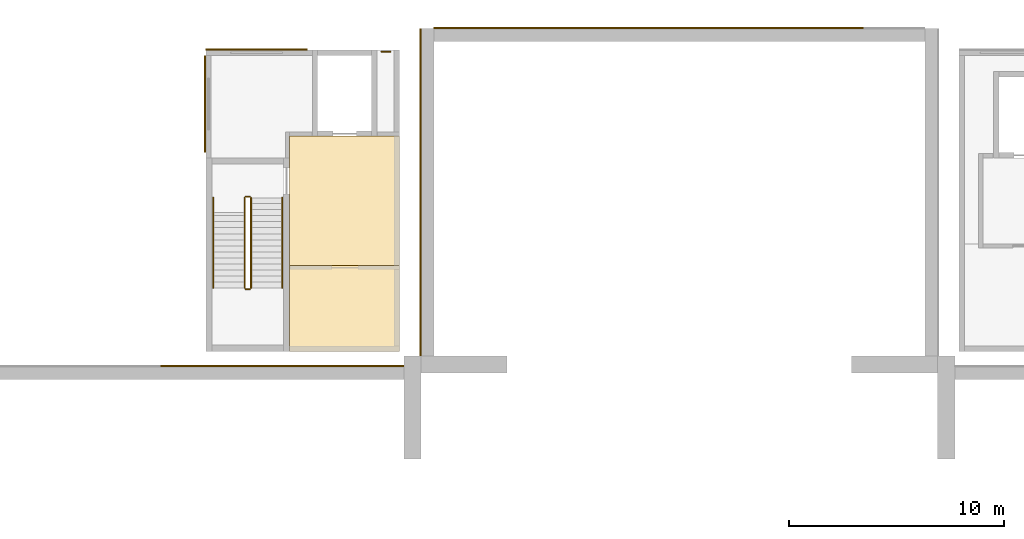
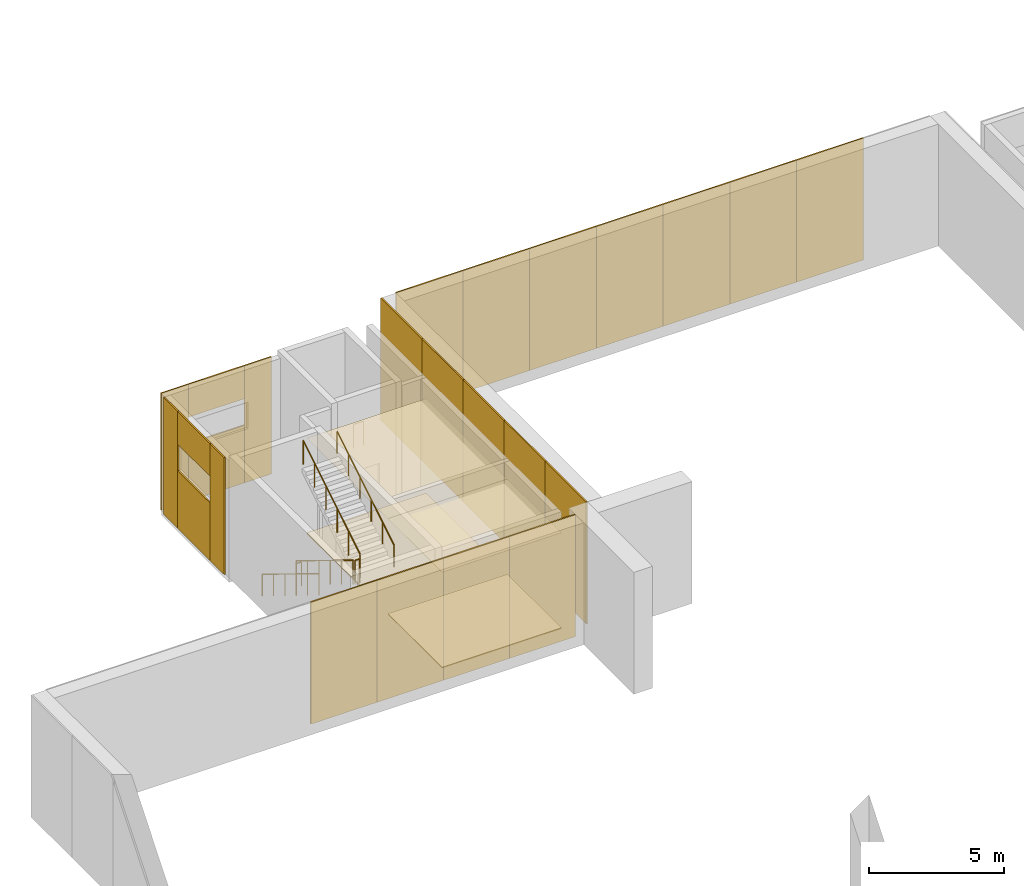
# One storey, part 97 of 112: 28 coverings, 7 railings.
"""IFC4 building model written with IfcOpenShell, lengths in metres."""

import ifcopenshell
import ifcopenshell.guid

model = None  # the IFC model being written
_history = None  # IfcOwnerHistory: only IFC2X3 demands one
_inside = {}  # id of a spatial element -> (the spatial element, [elements in it])
_under = {}  # id of a project, library or spatial element -> (it, [spatial elements below it])
_declared = {}  # id of a project -> (the project, [libraries it declares])
_typed = {}  # id of a type object -> (the type object, [elements of that type])
_made_of = {}  # id of a material, layer set ... -> (it, [elements and type objects made of it])


def new_model(schema):
    """Start an empty IFC model of exactly this schema.

    Asked for "IFC4X3", IfcOpenShell would pick the latest addendum, in which some entities
    have other attributes; the version numbers below select the first issue.
    IFC2X3 requires an IfcOwnerHistory on every rooted entity: one is made here for all.
    """
    global model, _history
    if schema == "IFC4X3":
        model = ifcopenshell.file(schema_version=(4, 3, 0, 0))
    else:
        model = ifcopenshell.file(schema=schema)
    _inside.clear()
    _under.clear()
    _declared.clear()
    _typed.clear()
    _made_of.clear()
    _history = None
    if model.schema == "IFC2X3":
        org = make("IfcOrganization", Name="unknown")
        user = make(
            "IfcPersonAndOrganization",
            ThePerson=make("IfcPerson", FamilyName="unknown"),
            TheOrganization=org,
        )
        app = make(
            "IfcApplication",
            ApplicationDeveloper=org,
            Version="unknown",
            ApplicationFullName="unknown",
            ApplicationIdentifier="unknown",
        )
        _history = make(
            "IfcOwnerHistory",
            OwningUser=user,
            OwningApplication=app,
            ChangeAction="ADDED",
            CreationDate=0,
        )
    return model


def make(cls, **values):
    """One entity of the class cls with the attributes given. An attribute that is None is left unset."""
    return model.create_entity(
        cls, **{name: value for name, value in values.items() if value is not None}
    )


def rooted(cls, **values):
    """An entity with a GlobalId (a new one), such as an element, a storey or a relation."""
    return make(cls, GlobalId=ifcopenshell.guid.new(), OwnerHistory=_history, **values)


def si_unit(unit_type, name, prefix=None):
    """IfcSIUnit, for example si_unit("LENGTHUNIT", "METRE", prefix="MILLI")."""
    return make("IfcSIUnit", UnitType=unit_type, Prefix=prefix, Name=name)


def assignment(units):
    """IfcUnitAssignment: the units of a project."""
    return None if units is None else make("IfcUnitAssignment", Units=units)


def point(xyz):
    """IfcCartesianPoint."""
    return None if xyz is None else make("IfcCartesianPoint", Coordinates=xyz)


def direction(xyz):
    """IfcDirection."""
    return None if xyz is None else make("IfcDirection", DirectionRatios=xyz)


def frame(location, z_axis=None, x_axis=None):
    """IfcAxis2Placement3D, a coordinate frame: its origin and axes. An axis left out is left unset."""
    return make(
        "IfcAxis2Placement3D",
        Location=point(location),
        Axis=direction(z_axis),
        RefDirection=direction(x_axis),
    )


def frame_2d(location, x_axis=None):
    """IfcAxis2Placement2D, a coordinate frame in the plane: its origin and x axis."""
    return make(
        "IfcAxis2Placement2D", Location=point(location), RefDirection=direction(x_axis)
    )


def origin():
    """The frame at (0, 0, 0) with its axes left unset."""
    return frame((0.0, 0.0, 0.0))


def origin_2d():
    """The frame at (0, 0) in the plane with its x axis left unset."""
    return frame_2d((0.0, 0.0))


def place(relative_to, where):
    """IfcLocalPlacement: puts the frame where relative to a parent placement (None: the world)."""
    return make(
        "IfcLocalPlacement", PlacementRelTo=relative_to, RelativePlacement=where
    )


def context(
    kind, dimensions, precision=None, world=None, true_north=None, identifier=None
):
    """IfcGeometricRepresentationContext, for example the 3D "Model" context."""
    return make(
        "IfcGeometricRepresentationContext",
        ContextIdentifier=identifier,
        ContextType=kind,
        CoordinateSpaceDimension=dimensions,
        Precision=precision,
        WorldCoordinateSystem=world,
        TrueNorth=true_north,
    )


def subcontext(parent, identifier, kind, view, scale=None):
    """IfcGeometricRepresentationSubContext, for example "Body" below "Model"."""
    return make(
        "IfcGeometricRepresentationSubContext",
        ContextIdentifier=identifier,
        ContextType=kind,
        ParentContext=parent,
        TargetScale=scale,
        TargetView=view,
    )


def project(units=None, contexts=None):
    """IfcProject with its units and contexts."""
    return rooted(
        "IfcProject",
        Name="project",
        RepresentationContexts=contexts,
        UnitsInContext=assignment(units),
    )


def spatial(cls, under=None, at=None, **own):
    """A site, building, storey or space (cls), placed at a placement, below another one or the project."""
    s = rooted(cls, ObjectPlacement=at, **own)
    if under is not None:
        _under.setdefault(under.id(), (under, []))[1].append(s)
    return s


def polyline(points):
    """IfcPolyline through the points."""
    return make("IfcPolyline", Points=[point(p) for p in points])


def profile(cls, at=None, kind="AREA", **sizes):
    """A parametric profile (cls). Its sizes go by their IFC names, for example OverallWidth=200.0."""
    return make(cls, ProfileType=kind, Position=at, **sizes)


def rectangle(**sizes):
    """IfcRectangleProfileDef."""
    return profile("IfcRectangleProfileDef", **sizes)


def circle(**sizes):
    """IfcCircleProfileDef."""
    return profile("IfcCircleProfileDef", **sizes)


def outline(outer, holes=None, kind="AREA"):
    """IfcArbitraryClosedProfileDef: a profile drawn as a closed curve; with holes, ...WithVoids."""
    if holes is None:
        return make("IfcArbitraryClosedProfileDef", ProfileType=kind, OuterCurve=outer)
    return make(
        "IfcArbitraryProfileDefWithVoids",
        ProfileType=kind,
        OuterCurve=outer,
        InnerCurves=holes,
    )


def extrude(swept, where, along, depth):
    """IfcExtrudedAreaSolid: the profile swept, set in the frame where, extruded along a direction by depth."""
    return make(
        "IfcExtrudedAreaSolid",
        SweptArea=swept,
        Position=where,
        ExtrudedDirection=direction(along),
        Depth=depth,
    )


def shape(context_of_items, identifier, shape_type, items):
    """IfcShapeRepresentation: the items that make up one representation, for example the "Body"."""
    return make(
        "IfcShapeRepresentation",
        ContextOfItems=context_of_items,
        RepresentationIdentifier=identifier,
        RepresentationType=shape_type,
        Items=items,
    )


def material(Name=None, Category=None):
    """IfcMaterial."""
    return make("IfcMaterial", Name=Name, Category=Category)


def layer(
    of_material, thickness, ventilated=None, Name=None, Category=None, Priority=None
):
    """IfcMaterialLayer: one layer of a wall or slab, of a material (None: an air gap)."""
    return make(
        "IfcMaterialLayer",
        Material=of_material,
        LayerThickness=thickness,
        IsVentilated=ventilated,
        Name=Name,
        Category=Category,
        Priority=Priority,
    )


def layer_set(layers, Name=None):
    """IfcMaterialLayerSet."""
    return make("IfcMaterialLayerSet", MaterialLayers=layers, LayerSetName=Name)


def made_of(thing, what):
    """Note that an element or type object is made of a material, layer set ...; save() writes the relation."""
    if what is not None:
        _made_of.setdefault(what.id(), (what, []))[1].append(thing)
    return thing


def type_object(cls, material=None, **own):
    """A type object (cls), such as IfcWallType, which elements share."""
    return made_of(rooted(cls, **own), material)


def element(
    cls,
    number,
    at=None,
    inside=None,
    cuts=None,
    type_object=None,
    material=None,
    context=None,
    identifier="Body",
    shape_type=None,
    held_by="IfcProductDefinitionShape",
    body=None,
    shapes=None,
    **own,
):
    """One element of the class cls, such as IfcWall. Its Tag is "e" and its number.

    at: its placement. inside: the storey or other place that contains it. cuts: it is an
    opening in that element (IfcRelVoidsElement). A single representation is given by context,
    identifier, shape_type and body (its items); several are given by shapes. held_by: the class
    of the entity that holds the representations. save() writes the other relations.
    """
    e = rooted(cls, Tag="e%d" % number, ObjectPlacement=at, **own)
    if body is not None:
        shapes = [shape(context, identifier, shape_type, body)]
    if shapes is not None:
        e.Representation = make(held_by, Representations=shapes)
    if inside is not None:
        _inside.setdefault(inside.id(), (inside, []))[1].append(e)
    if cuts is not None:
        rooted(
            "IfcRelVoidsElement", RelatingBuildingElement=cuts, RelatedOpeningElement=e
        )
    if type_object is not None:
        _typed.setdefault(type_object.id(), (type_object, []))[1].append(e)
    return made_of(e, material)


def aggregate(whole, parts):
    """IfcRelAggregates: a whole, such as a stair, and the parts it consists of."""
    return rooted("IfcRelAggregates", RelatingObject=whole, RelatedObjects=parts)


def save(model, path):
    """Write the relations noted so far, then the file.

    IfcRelAggregates (storeys below a building ...), IfcRelContainedInSpatialStructure (elements
    in a storey), IfcRelDefinesByType, IfcRelAssociatesMaterial and IfcRelDeclares: one each for
    every whole, place, type object, material and project.
    """
    for whole, parts in _under.values():
        aggregate(whole, parts)
    for where, things in _inside.values():
        rooted(
            "IfcRelContainedInSpatialStructure",
            RelatedElements=things,
            RelatingStructure=where,
        )
    for kind, things in _typed.values():
        rooted("IfcRelDefinesByType", RelatedObjects=things, RelatingType=kind)
    for what, things in _made_of.values():
        rooted("IfcRelAssociatesMaterial", RelatedObjects=things, RelatingMaterial=what)
    for by, libraries in _declared.values():
        rooted("IfcRelDeclares", RelatingContext=by, RelatedDefinitions=libraries)
    model.write(path)


model = new_model("IFC4")

# Units and contexts
model_context = context("Model", 3, precision=1e-05, world=origin(), true_north=direction((0.0, 1.0)))
body_context = subcontext(model_context, "Body", "Model", "MODEL_VIEW")
ifc_project = project(units=[si_unit("LENGTHUNIT", "METRE"), si_unit("AREAUNIT", "SQUARE_METRE"), si_unit("VOLUMEUNIT", "CUBIC_METRE"), si_unit("PLANEANGLEUNIT", "RADIAN"), si_unit("MASSUNIT", "GRAM", prefix="KILO")], contexts=[model_context])

# Site, building, storey
site_placement = place(None, origin())
site = spatial("IfcSite", under=ifc_project, at=site_placement, CompositionType="ELEMENT")
building_placement = place(site_placement, origin())
building = spatial("IfcBuilding", under=site, at=building_placement, Name="Lunette Opera House", CompositionType="ELEMENT")
storey_placement = place(building_placement, frame((0.0, 0.0, 6.0)))
storey = spatial("IfcBuildingStorey", under=building, at=storey_placement, Name="L01", CompositionType="ELEMENT", Elevation=6.0)

# Railings
ifc_material_1 = material(Name="Steel S355", Category="steel")
railing_type_1 = type_object("IfcRailingType", Name="DECK GUARD 1100", PredefinedType="GUARDRAIL", material=ifc_material_1)
railing_1_placement = place(storey_placement, frame((82.580078125, 134.919921875, 0.0)))
element("IfcRailing", 1, at=railing_1_placement, inside=storey, type_object=railing_type_1, Name="Deck guard 042", PredefinedType="GUARDRAIL", context=body_context, shape_type="SweptSolid", body=[
    extrude(circle(Radius=0.02392578125, at=origin_2d()), frame((0.0, 0.0, 1.076171875), z_axis=(-1.0, 0.0, 0.0), x_axis=(0.0, -1.0, 0.0)), (0.0, 0.0, 1.0), 0.420166015625),
    extrude(circle(Radius=0.02099609375, at=origin_2d()), origin(), (0.0, 0.0, 1.0), 1.052001953125),
    extrude(circle(Radius=0.02099609375, at=origin_2d()), frame((-0.420166015625, 0.0, 0.0)), (0.0, 0.0, 1.0), 1.052001953125),
])
ifc_material_2 = material(Name="Steel S355", Category="steel")
railing_type_2 = type_object("IfcRailingType", Name="STAIR GUARD 1100", PredefinedType="GUARDRAIL", material=ifc_material_2)
railing_2_placement = place(storey_placement, frame((75.800048828125, 128.14990234375, 0.171875)))
element("IfcRailing", 2, at=railing_2_placement, inside=storey, type_object=railing_type_2, Name="L01 ST11 stair guard 1", PredefinedType="GUARDRAIL", context=body_context, shape_type="SweptSolid", body=[
    extrude(circle(Radius=0.02392578125, at=origin_2d()), frame((0.0, 0.0, 1.076171875), z_axis=(0.0, -0.852242915053, 0.523146264196), x_axis=(1.0, 0.0, 0.0)), (0.0, 0.0, 1.0), 4.92822265625),
    extrude(circle(Radius=0.02099609375, at=origin_2d()), origin(), (0.0, 0.0, 1.0), 1.052001953125),
    extrude(circle(Radius=0.02099609375, at=origin_2d()), frame((0.0, -0.840087890625, 0.515625)), (0.0, 0.0, 1.0), 1.052001953125),
    extrude(circle(Radius=0.02099609375, at=origin_2d()), frame((0.0, -1.679931640625, 1.03125)), (0.0, 0.0, 1.0), 1.052001953125),
    extrude(circle(Radius=0.02099609375, at=origin_2d()), frame((0.0, -2.52001953125, 1.546875)), (0.0, 0.0, 1.0), 1.052001953125),
    extrude(circle(Radius=0.02099609375, at=origin_2d()), frame((0.0, -3.35986328125, 2.0625)), (0.0, 0.0, 1.0), 1.052001953125),
    extrude(circle(Radius=0.02099609375, at=origin_2d()), frame((0.0, -4.199951171875, 2.578125)), (0.0, 0.0, 1.0), 1.052001953125),
])
railing_3_placement = place(storey_placement, frame((75.85009765625, 123.89990234375, 2.75)))
element("IfcRailing", 3, at=railing_3_placement, inside=storey, type_object=railing_type_2, Name="L01 ST11 stair guard 2", PredefinedType="GUARDRAIL", context=body_context, shape_type="SweptSolid", body=[
    extrude(circle(Radius=0.02392578125, at=origin_2d()), frame((0.0, 0.0, 1.076171875), z_axis=(1.0, 0.0, 0.0), x_axis=(0.0, 1.0, 0.0)), (0.0, 0.0, 1.0), 0.199951171875),
    extrude(circle(Radius=0.02099609375, at=origin_2d()), origin(), (0.0, 0.0, 1.0), 1.052001953125),
    extrude(circle(Radius=0.02099609375, at=origin_2d()), frame((0.199951171875, 0.0, 0.0)), (0.0, 0.0, 1.0), 1.052001953125),
])
railing_4_placement = place(storey_placement, frame((76.10009765625, 123.949951171875, 2.921875)))
element("IfcRailing", 4, at=railing_4_placement, inside=storey, type_object=railing_type_2, Name="L01 ST11 stair guard 3", PredefinedType="GUARDRAIL", context=body_context, shape_type="SweptSolid", body=[
    extrude(circle(Radius=0.02392578125, at=origin_2d()), frame((0.0, 0.0, 1.076171875), z_axis=(0.0, 0.852242915053, 0.523146264196), x_axis=(-1.0, 0.0, 0.0)), (0.0, 0.0, 1.0), 4.92822265625),
    extrude(circle(Radius=0.02099609375, at=origin_2d()), origin(), (0.0, 0.0, 1.0), 1.052001953125),
    extrude(circle(Radius=0.02099609375, at=origin_2d()), frame((0.0, 0.840087890625, 0.515625)), (0.0, 0.0, 1.0), 1.052001953125),
    extrude(circle(Radius=0.02099609375, at=origin_2d()), frame((0.0, 1.679931640625, 1.03125)), (0.0, 0.0, 1.0), 1.052001953125),
    extrude(circle(Radius=0.02099609375, at=origin_2d()), frame((0.0, 2.52001953125, 1.546875)), (0.0, 0.0, 1.0), 1.052001953125),
    extrude(circle(Radius=0.02099609375, at=origin_2d()), frame((0.0, 3.35986328125, 2.0625)), (0.0, 0.0, 1.0), 1.052001953125),
    extrude(circle(Radius=0.02099609375, at=origin_2d()), frame((0.0, 4.199951171875, 2.578125)), (0.0, 0.0, 1.0), 1.052001953125),
])
railing_5_placement = place(storey_placement, frame((75.85009765625, 128.199951171875, 0.0)))
element("IfcRailing", 5, at=railing_5_placement, inside=storey, type_object=railing_type_2, Name="L01 ST11 stair guard 4", PredefinedType="GUARDRAIL", context=body_context, shape_type="SweptSolid", body=[
    extrude(circle(Radius=0.02392578125, at=origin_2d()), frame((0.0, 0.0, 1.076171875), z_axis=(1.0, 0.0, 0.0), x_axis=(0.0, 1.0, 0.0)), (0.0, 0.0, 1.0), 0.199951171875),
    extrude(circle(Radius=0.02099609375, at=origin_2d()), origin(), (0.0, 0.0, 1.0), 1.052001953125),
    extrude(circle(Radius=0.02099609375, at=origin_2d()), frame((0.199951171875, 0.0, 0.0)), (0.0, 0.0, 1.0), 1.052001953125),
])
ifc_material_3 = material(Name="Steel S355", Category="steel")
railing_type_3 = type_object("IfcRailingType", Name="STAIR HANDRAIL 1000", PredefinedType="HANDRAIL", material=ifc_material_3)
railing_6_placement = place(storey_placement, frame((74.35009765625, 128.14990234375, 0.171875)))
element("IfcRailing", 6, at=railing_6_placement, inside=storey, type_object=railing_type_3, Name="L01 ST11 stair handrail 1", PredefinedType="HANDRAIL", context=body_context, shape_type="SweptSolid", body=[
    extrude(circle(Radius=0.02392578125, at=origin_2d()), frame((0.0, 0.0, 0.97607421875), z_axis=(0.0, -0.852242915053, 0.523146264196), x_axis=(1.0, 0.0, 0.0)), (0.0, 0.0, 1.0), 4.92822265625),
    extrude(circle(Radius=0.02099609375, at=origin_2d()), origin(), (0.0, 0.0, 1.0), 0.951904296875),
    extrude(circle(Radius=0.02099609375, at=origin_2d()), frame((0.0, -0.840087890625, 0.515625)), (0.0, 0.0, 1.0), 0.951904296875),
    extrude(circle(Radius=0.02099609375, at=origin_2d()), frame((0.0, -1.679931640625, 1.03125)), (0.0, 0.0, 1.0), 0.951904296875),
    extrude(circle(Radius=0.02099609375, at=origin_2d()), frame((0.0, -2.52001953125, 1.546875)), (0.0, 0.0, 1.0), 0.951904296875),
    extrude(circle(Radius=0.02099609375, at=origin_2d()), frame((0.0, -3.35986328125, 2.0625)), (0.0, 0.0, 1.0), 0.951904296875),
    extrude(circle(Radius=0.02099609375, at=origin_2d()), frame((0.0, -4.199951171875, 2.578125)), (0.0, 0.0, 1.0), 0.951904296875),
])
railing_7_placement = place(storey_placement, frame((77.550048828125, 123.949951171875, 2.921875)))
element("IfcRailing", 7, at=railing_7_placement, inside=storey, type_object=railing_type_3, Name="L01 ST11 stair handrail 2", PredefinedType="HANDRAIL", context=body_context, shape_type="SweptSolid", body=[
    extrude(circle(Radius=0.02392578125, at=origin_2d()), frame((0.0, 0.0, 0.97607421875), z_axis=(0.0, 0.852242915053, 0.523146264196), x_axis=(-1.0, 0.0, 0.0)), (0.0, 0.0, 1.0), 4.92822265625),
    extrude(circle(Radius=0.02099609375, at=origin_2d()), origin(), (0.0, 0.0, 1.0), 0.951904296875),
    extrude(circle(Radius=0.02099609375, at=origin_2d()), frame((0.0, 0.840087890625, 0.515625)), (0.0, 0.0, 1.0), 0.951904296875),
    extrude(circle(Radius=0.02099609375, at=origin_2d()), frame((0.0, 1.679931640625, 1.03125)), (0.0, 0.0, 1.0), 0.951904296875),
    extrude(circle(Radius=0.02099609375, at=origin_2d()), frame((0.0, 2.52001953125, 1.546875)), (0.0, 0.0, 1.0), 0.951904296875),
    extrude(circle(Radius=0.02099609375, at=origin_2d()), frame((0.0, 3.35986328125, 2.0625)), (0.0, 0.0, 1.0), 0.951904296875),
    extrude(circle(Radius=0.02099609375, at=origin_2d()), frame((0.0, 4.199951171875, 2.578125)), (0.0, 0.0, 1.0), 0.951904296875),
])

# Coverings
ifc_material_4 = material(Name="Aluminium standing seam cladding", Category="aluminium")
ifc_layer_1 = layer(ifc_material_4, 0.06005859375)
ifc_layer_set_1 = layer_set([ifc_layer_1], Name="Aluminium standing seam cladding")
covering_type_1 = type_object("IfcCoveringType", Name="STANDING SEAM CLADDING 60", PredefinedType="CLADDING", material=ifc_layer_set_1)
for number, where, z_axis, x_axis, name in (
    (8, (73.31201171875, 120.330078125, 0.0), (0.0, 0.0, 1.0), (1.0, 0.0, 0.0), "Standing seam cladding SW-N-1 L01 04"),
    (9, (76.137939453125, 120.330078125, 0.0), (0.0, 0.0, 1.0), (1.0, 0.0, 0.0), "Standing seam cladding SW-N-1 L01 05"),
    (10, (78.962890625, 120.330078125, 0.0), (0.0, 0.0, 1.0), (1.0, 0.0, 0.0), "Standing seam cladding SW-N-1 L01 06"),
    (11, (81.787109375, 120.330078125, 0.0), (0.0, 0.0, 1.0), (1.0, 0.0, 0.0), "Standing seam cladding SW-N-1 L01 07"),
):
    element("IfcCovering", number, at=place(storey_placement, frame(where, z_axis=z_axis, x_axis=x_axis)), inside=storey, type_object=covering_type_1, Name=name, PredefinedType="CLADDING", context=body_context, shape_type="SweptSolid", body=[
        extrude(rectangle(XDim=2.824951171875, YDim=0.06005859375, at=origin_2d()), origin(), (0.0, 0.0, 1.0), 5.5),
    ])
for number, where, z_axis, x_axis, name in (
    (12, (83.969970703125, 122.320068359375, 0.0), (0.0, 0.0, 1.0), (0.0, 1.0, 0.0), "Standing seam cladding SR-W-1 L01 00"),
    (13, (83.969970703125, 125.360107421875, 0.0), (0.0, 0.0, 1.0), (0.0, 1.0, 0.0), "Standing seam cladding SR-W-1 L01 01"),
    (14, (83.969970703125, 128.39990234375, 0.0), (0.0, 0.0, 1.0), (0.0, 1.0, 0.0), "Standing seam cladding SR-W-1 L01 02"),
    (15, (83.969970703125, 131.43994140625, 0.0), (0.0, 0.0, 1.0), (0.0, 1.0, 0.0), "Standing seam cladding SR-W-1 L01 03"),
    (16, (83.969970703125, 134.47998046875, 0.0), (0.0, 0.0, 1.0), (0.0, 1.0, 0.0), "Standing seam cladding SR-W-1 L01 04"),
):
    element("IfcCovering", number, at=place(storey_placement, frame(where, z_axis=z_axis, x_axis=x_axis)), inside=storey, type_object=covering_type_1, Name=name, PredefinedType="CLADDING", context=body_context, shape_type="SweptSolid", body=[
        extrude(rectangle(XDim=3.0400390625, YDim=0.06005859375, at=origin_2d()), origin(), (0.0, 0.0, 1.0), 5.5),
    ])
for number, where, z_axis, x_axis, name in (
    (17, (86.02490234375, 136.030029296875, 0.0), (0.0, 0.0, 1.0), (1.0, 0.0, 0.0), "Standing seam cladding SR-N-1 L01 00"),
    (18, (88.875, 136.030029296875, 0.0), (0.0, 0.0, 1.0), (1.0, 0.0, 0.0), "Standing seam cladding SR-N-1 L01 01"),
    (19, (91.72509765625, 136.030029296875, 0.0), (0.0, 0.0, 1.0), (1.0, 0.0, 0.0), "Standing seam cladding SR-N-1 L01 02"),
    (20, (94.574951171875, 136.030029296875, 0.0), (0.0, 0.0, 1.0), (1.0, 0.0, 0.0), "Standing seam cladding SR-N-1 L01 03"),
    (21, (97.425048828125, 136.030029296875, 0.0), (0.0, 0.0, 1.0), (1.0, 0.0, 0.0), "Standing seam cladding SR-N-1 L01 04"),
    (22, (100.27490234375, 136.030029296875, 0.0), (0.0, 0.0, 1.0), (1.0, 0.0, 0.0), "Standing seam cladding SR-N-1 L01 05"),
    (23, (103.125, 136.030029296875, 0.0), (0.0, 0.0, 1.0), (1.0, 0.0, 0.0), "Standing seam cladding SR-N-1 L01 06"),
):
    element("IfcCovering", number, at=place(storey_placement, frame(where, z_axis=z_axis, x_axis=x_axis)), inside=storey, type_object=covering_type_1, Name=name, PredefinedType="CLADDING", context=body_context, shape_type="SweptSolid", body=[
        extrude(rectangle(XDim=2.85009765625, YDim=0.06005859375, at=origin_2d()), origin(), (0.0, 0.0, 1.0), 5.5),
    ])
covering_1_placement = place(storey_placement, frame((78.126953125, 135.030029296875, 0.0), z_axis=(0.0, 0.0, 1.0), x_axis=(-1.0, 0.0, 0.0)))
element("IfcCovering", 24, at=covering_1_placement, inside=storey, type_object=covering_type_1, Name="Standing seam cladding TW1 L01 00", PredefinedType="CLADDING", context=body_context, shape_type="SweptSolid", body=[
    extrude(rectangle(XDim=1.15087890625, YDim=0.06005859375, at=origin_2d()), origin(), (0.0, 0.0, 1.0), 5.280029296875),
])
covering_2_placement = place(storey_placement, frame((76.35205078125, 135.030029296875, 0.0), z_axis=(0.0, 0.0, 1.0), x_axis=(-1.0, 0.0, 0.0)))
element("IfcCovering", 25, at=covering_2_placement, inside=storey, type_object=covering_type_1, Name="Standing seam cladding TW1 L01 10", PredefinedType="CLADDING", context=body_context, shape_type="SweptSolid", body=[
    extrude(rectangle(XDim=2.39990234375, YDim=0.06005859375, at=origin_2d()), origin(), (0.0, 0.0, 1.0), 2.60009765625),
])
covering_3_placement = place(storey_placement, frame((76.35205078125, 135.030029296875, 3.800048828125), z_axis=(0.0, 0.0, 1.0), x_axis=(-1.0, 0.0, 0.0)))
element("IfcCovering", 26, at=covering_3_placement, inside=storey, type_object=covering_type_1, Name="Standing seam cladding TW1 L01 11", PredefinedType="CLADDING", context=body_context, shape_type="SweptSolid", body=[
    extrude(rectangle(XDim=2.39990234375, YDim=0.06005859375, at=origin_2d()), origin(), (0.0, 0.0, 1.0), 1.47998046875),
])
covering_4_placement = place(storey_placement, frame((74.575927734375, 135.030029296875, 0.0), z_axis=(0.0, 0.0, 1.0), x_axis=(-1.0, 0.0, 0.0)))
element("IfcCovering", 27, at=covering_4_placement, inside=storey, type_object=covering_type_1, Name="Standing seam cladding TW1 L01 20", PredefinedType="CLADDING", context=body_context, shape_type="SweptSolid", body=[
    extrude(rectangle(XDim=1.152099609375, YDim=0.06005859375, at=origin_2d()), origin(), (0.0, 0.0, 1.0), 5.280029296875),
])
covering_5_placement = place(storey_placement, frame((73.969970703125, 134.22509765625, 0.0), z_axis=(0.0, 0.0, 1.0), x_axis=(0.0, -1.0, 0.0)))
element("IfcCovering", 28, at=covering_5_placement, inside=storey, type_object=covering_type_1, Name="Standing seam cladding TW2 L01 00", PredefinedType="CLADDING", context=body_context, shape_type="SweptSolid", body=[
    extrude(rectangle(XDim=1.050048828125, YDim=0.06005859375, at=origin_2d()), origin(), (0.0, 0.0, 1.0), 5.280029296875),
])
covering_6_placement = place(storey_placement, frame((73.969970703125, 132.5, 0.0), z_axis=(0.0, 0.0, 1.0), x_axis=(0.0, -1.0, 0.0)))
element("IfcCovering", 29, at=covering_6_placement, inside=storey, type_object=covering_type_1, Name="Standing seam cladding TW2 L01 10", PredefinedType="CLADDING", context=body_context, shape_type="SweptSolid", body=[
    extrude(rectangle(XDim=2.39990234375, YDim=0.06005859375, at=origin_2d()), origin(), (0.0, 0.0, 1.0), 2.60009765625),
])
covering_7_placement = place(storey_placement, frame((73.969970703125, 132.5, 3.800048828125), z_axis=(0.0, 0.0, 1.0), x_axis=(0.0, -1.0, 0.0)))
element("IfcCovering", 30, at=covering_7_placement, inside=storey, type_object=covering_type_1, Name="Standing seam cladding TW2 L01 11", PredefinedType="CLADDING", context=body_context, shape_type="SweptSolid", body=[
    extrude(rectangle(XDim=2.39990234375, YDim=0.06005859375, at=origin_2d()), origin(), (0.0, 0.0, 1.0), 1.47998046875),
])
covering_8_placement = place(storey_placement, frame((73.969970703125, 130.77490234375, 0.0), z_axis=(0.0, 0.0, 1.0), x_axis=(0.0, -1.0, 0.0)))
element("IfcCovering", 31, at=covering_8_placement, inside=storey, type_object=covering_type_1, Name="Standing seam cladding TW2 L01 20", PredefinedType="CLADDING", context=body_context, shape_type="SweptSolid", body=[
    extrude(rectangle(XDim=1.050048828125, YDim=0.06005859375, at=origin_2d()), origin(), (0.0, 0.0, 1.0), 5.280029296875),
])
ifc_material_5 = material(Name="Mineral fibre board")
ifc_layer_2 = layer(ifc_material_5, 0.014892578125)
ifc_layer_set_2 = layer_set([ifc_layer_2], Name="Mineral fibre board")
covering_type_2 = type_object("IfcCoveringType", Name="SUSPENDED ACOUSTIC CEILING 15", PredefinedType="CEILING", material=ifc_layer_set_2)
covering_9_placement = place(storey_placement, frame((0.0, 0.0, 4.31494140625)))
element("IfcCovering", 32, at=covering_9_placement, inside=storey, type_object=covering_type_2, Name="Ceiling Lift Lobby L01 Stage Tower", PredefinedType="CEILING", context=body_context, shape_type="SweptSolid", body=[
    extrude(outline(polyline([(83.0, 125.0), (83.0, 131.0), (77.89990234375, 131.0), (77.89990234375, 125.0), (83.0, 125.0)])), origin(), (0.0, 0.0, 1.0), 0.01513671875),
])
covering_10_placement = place(storey_placement, frame((0.0, 0.0, 4.31494140625)))
element("IfcCovering", 33, at=covering_10_placement, inside=storey, type_object=covering_type_2, Name="Ceiling Prompt and Stage Management", PredefinedType="CEILING", context=body_context, shape_type="SweptSolid", body=[
    extrude(outline(polyline([(77.89990234375, 125.0), (83.0, 125.0), (83.0, 121.0), (77.89990234375, 121.0), (77.89990234375, 125.0)])), origin(), (0.0, 0.0, 1.0), 0.01513671875),
])
ifc_material_6 = material(Name="Terrazzo")
ifc_layer_3 = layer(ifc_material_6, 0.06005859375)
ifc_layer_set_3 = layer_set([ifc_layer_3], Name="Terrazzo")
covering_type_3 = type_object("IfcCoveringType", Name="TERRAZZO FLOOR FINISH 60", PredefinedType="FLOORING", material=ifc_layer_set_3)
covering_11_placement = place(storey_placement, origin())
element("IfcCovering", 34, at=covering_11_placement, inside=storey, type_object=covering_type_3, Name="Floor finish Lift Lobby L01 Stage Tower", PredefinedType="FLOORING", context=body_context, shape_type="SweptSolid", body=[
    extrude(outline(polyline([(83.0, 125.0), (83.0, 131.0), (77.89990234375, 131.0), (77.89990234375, 125.0), (83.0, 125.0)])), origin(), (0.0, 0.0, 1.0), 0.06005859375),
])
ifc_material_7 = material(Name="Timber", Category="wood")
ifc_layer_4 = layer(ifc_material_7, 0.0400390625)
ifc_layer_set_4 = layer_set([ifc_layer_4], Name="Timber")
covering_type_4 = type_object("IfcCoveringType", Name="TIMBER FLOOR FINISH 40", PredefinedType="FLOORING", material=ifc_layer_set_4)
covering_12_placement = place(storey_placement, origin())
element("IfcCovering", 35, at=covering_12_placement, inside=storey, type_object=covering_type_4, Name="Floor finish Prompt and Stage Management", PredefinedType="FLOORING", context=body_context, shape_type="SweptSolid", body=[
    extrude(outline(polyline([(77.89990234375, 125.0), (83.0, 125.0), (83.0, 121.0), (77.89990234375, 121.0), (77.89990234375, 125.0)])), origin(), (0.0, 0.0, 1.0), 0.0400390625),
])

save(model, "model.ifc")
